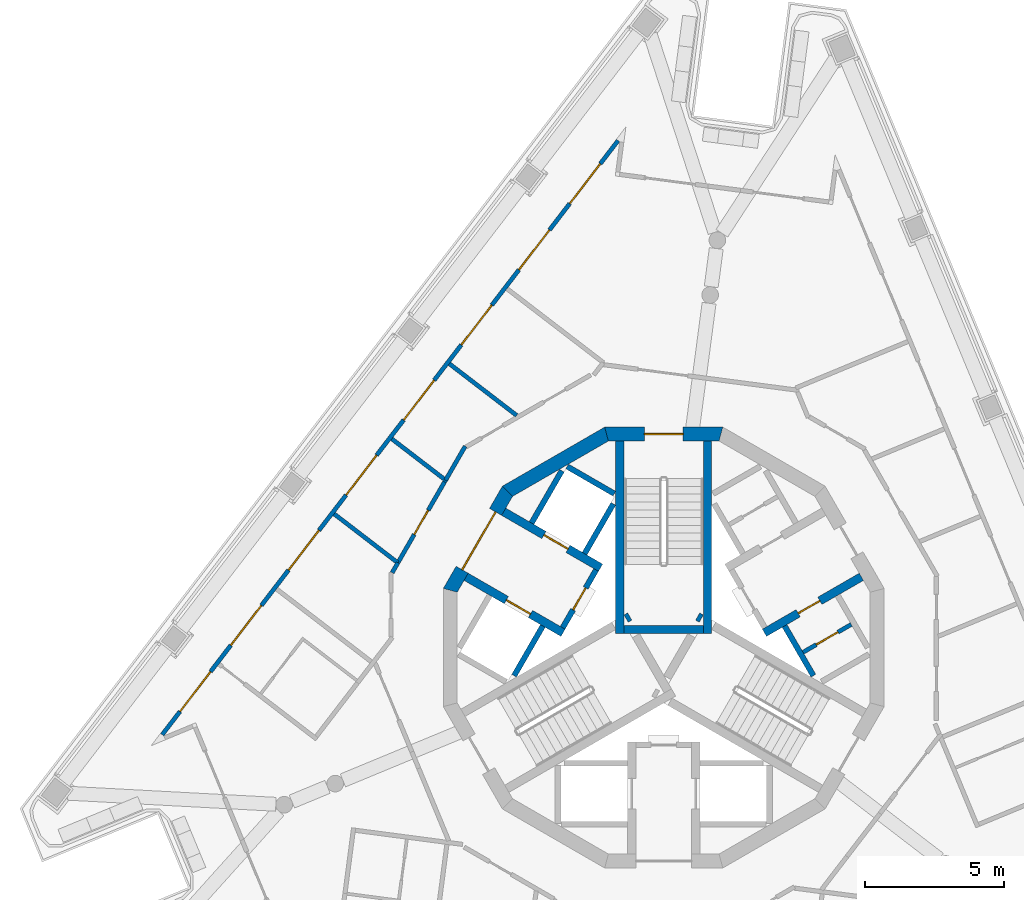
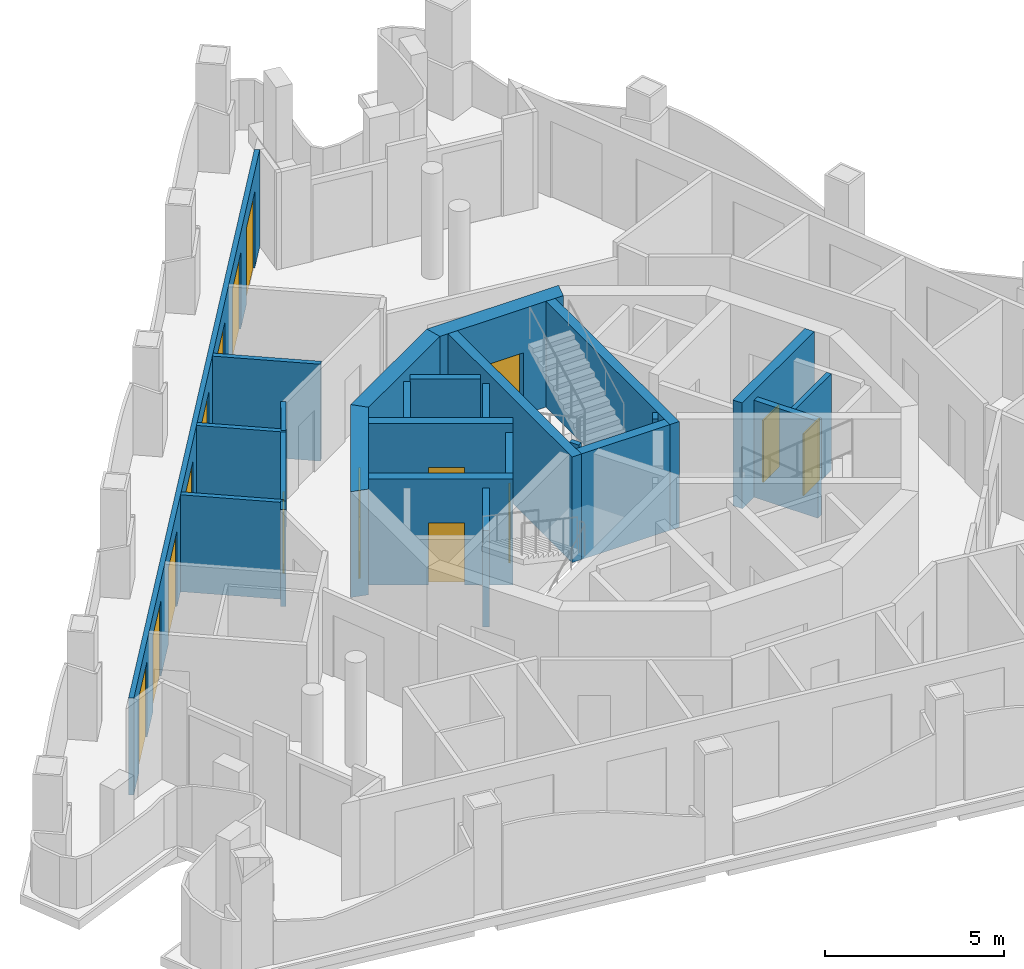
# One storey, part 4 of 12: 25 walls, 16 doors, 16 openings.
"""IFC4 building model written with IfcOpenShell, lengths in metres."""

from ifc_helpers import new_model, si_unit, direction, frame, frame_2d, origin, place, context, subcontext, project, spatial, polyline, rectangle, outline, extrude, material, layer, layer_set, type_object, element, fill, save


model = new_model("IFC4")

# Units and contexts
model_context = context("Model", 3, precision=1e-05, world=origin(), true_north=direction((0.0, 1.0)))
body_context = subcontext(model_context, "Body", "Model", "MODEL_VIEW")
ifc_project = project(units=[si_unit("LENGTHUNIT", "METRE"), si_unit("AREAUNIT", "SQUARE_METRE"), si_unit("VOLUMEUNIT", "CUBIC_METRE"), si_unit("PLANEANGLEUNIT", "RADIAN"), si_unit("MASSUNIT", "GRAM", prefix="KILO")], contexts=[model_context])

# Site, building, storey
site_placement = place(None, origin())
site = spatial("IfcSite", under=ifc_project, at=site_placement, CompositionType="ELEMENT")
building_placement = place(site_placement, origin())
building = spatial("IfcBuilding", under=site, at=building_placement, Name="Trine Commons Tower", CompositionType="ELEMENT")
storey_placement = place(building_placement, frame((0.0, 0.0, 279.0)))
storey = spatial("IfcBuildingStorey", under=building, at=storey_placement, Name="L73", CompositionType="ELEMENT", Elevation=279.0)

# Wall, opening, door
ifc_material_1 = material(Name="Plasterboard partition on steel studs", Category="steel")
ifc_layer_1 = layer(ifc_material_1, 0.14990234375)
ifc_layer_set_1 = layer_set([ifc_layer_1], Name="Plasterboard partition on steel studs")
wall_type_1 = type_object("IfcWallType", Name="Core room partition 150 mm, EI 60", PredefinedType="PARTITIONING", material=ifc_layer_set_1)
wall_1_placement = place(storey_placement, frame((85.006103515625, 62.330078125, 0.0), z_axis=(0.0, 0.0, 1.0), x_axis=(0.866010750942, 0.50002537861, 0.0)))
wall_1 = element("IfcWall", 1, at=wall_1_placement, inside=storey, type_object=wall_type_1, Name="Core room partition L73", PredefinedType="PARTITIONING", context=body_context, shape_type="SweptSolid", body=[
    extrude(rectangle(XDim=2.0, YDim=0.14990234375, at=frame_2d((1.0, 0.0))), origin(), (0.0, 0.0, 1.0), 3.300048828125),
])
opening_1_placement = place(wall_1_placement, frame((0.549560546875, 0.0, 0.0)))
opening_1 = element("IfcOpeningElement", 2, at=opening_1_placement, cuts=wall_1, Name="Opening K19.13", PredefinedType="OPENING", context=body_context, shape_type="SweptSolid", body=[
    extrude(rectangle(XDim=0.89990234375, YDim=2.10009765625, at=frame_2d((0.449951171875, 1.050048828125))), frame((0.0, 0.0849609375, 0.0), z_axis=(0.0, -1.0, 0.0), x_axis=(1.0, 0.0, 0.0)), (0.0, 0.0, 1.0), 0.169921875),
])
ifc_material_2 = material(Name="Steel door leaf, fire-rated", Category="steel")
door_type_1 = type_object("IfcDoorType", Name="Core room door, single leaf 900 x 2100, FD30S", OperationType="SINGLE_SWING_LEFT", PredefinedType="DOOR", material=ifc_material_2)
door_1_placement = place(opening_1_placement, frame((0.89990234375, 0.0, 0.0), z_axis=(0.0, 0.0, 1.0), x_axis=(-1.0, 0.0, 0.0)))
door_1 = element("IfcDoor", 3, at=door_1_placement, inside=storey, type_object=door_type_1, Name="Door to Cleaner's store L73", OperationType="SINGLE_SWING_LEFT", OverallHeight=2.10009765625, OverallWidth=0.89990234375, PredefinedType="DOOR", context=body_context, shape_type="SweptSolid", body=[
    extrude(rectangle(XDim=0.89990234375, YDim=2.10009765625, at=frame_2d((0.449951171875, 1.050048828125))), frame((0.0, 0.02490234375, 0.0), z_axis=(0.0, -1.0, 0.0), x_axis=(1.0, 0.0, 0.0)), (0.0, 0.0, 1.0), 0.050048828125),
])
fill(opening_1, door_1)

# Wall, openings, doors
ifc_material_3 = material(Name="Aluminium-framed insulated wall panel", Category="aluminium")
ifc_layer_2 = layer(ifc_material_3, 0.14990234375)
ifc_layer_set_2 = layer_set([ifc_layer_2], Name="Aluminium-framed insulated wall panel")
wall_type_2 = type_object("IfcWallType", Name="Glazed frame wall 150, EI 60", PredefinedType="SOLIDWALL", material=ifc_layer_set_2)
wall_2_placement = place(storey_placement, frame((61.8876953125, 59.251708984375, 0.0), z_axis=(0.0, 0.0, 1.0), x_axis=(0.608757974151, 0.793355991284, 0.0)))
wall_2 = element("IfcWall", 4, at=wall_2_placement, inside=storey, type_object=wall_type_2, Name="Glazed frame wall F1", PredefinedType="SOLIDWALL", context=body_context, shape_type="SweptSolid", body=[
    extrude(outline(polyline([(0.1494140625, 0.074951171875), (0.1494140625, -0.074951171875), (27.056884765625, -0.074951171875), (27.056884765625, 0.074951171875), (0.1494140625, 0.074951171875)])), origin(), (0.0, 0.0, 1.0), 3.300048828125),
])
opening_2_placement = place(wall_2_placement, frame((1.200439453125, 0.0, 0.0)))
opening_2 = element("IfcOpeningElement", 5, at=opening_2_placement, cuts=wall_2, Name="Opening BD-8F1-01", PredefinedType="OPENING", context=body_context, shape_type="SweptSolid", body=[
    extrude(rectangle(XDim=1.800048828125, YDim=2.60009765625, at=frame_2d((0.89990234375, 1.300048828125))), frame((0.0, 0.0849609375, 0.0), z_axis=(0.0, -1.0, 0.0), x_axis=(1.0, 0.0, 0.0)), (0.0, 0.0, 1.0), 0.169921875),
])
opening_3_placement = place(wall_2_placement, frame((4.201171875, 0.0, 0.0)))
opening_3 = element("IfcOpeningElement", 6, at=opening_3_placement, cuts=wall_2, Name="Opening BD-8F1-02", PredefinedType="OPENING", context=body_context, shape_type="SweptSolid", body=[
    extrude(rectangle(XDim=1.800048828125, YDim=2.60009765625, at=frame_2d((0.89990234375, 1.300048828125))), frame((0.0, 0.0849609375, 0.0), z_axis=(0.0, -1.0, 0.0), x_axis=(1.0, 0.0, 0.0)), (0.0, 0.0, 1.0), 0.169921875),
])
opening_4_placement = place(wall_2_placement, frame((7.60205078125, 0.0, 0.0)))
opening_4 = element("IfcOpeningElement", 7, at=opening_4_placement, cuts=wall_2, Name="Opening BD-8F1-03", PredefinedType="OPENING", context=body_context, shape_type="SweptSolid", body=[
    extrude(rectangle(XDim=1.800048828125, YDim=2.60009765625, at=frame_2d((0.89990234375, 1.300048828125))), frame((0.0, 0.0849609375, 0.0), z_axis=(0.0, -1.0, 0.0), x_axis=(1.0, 0.0, 0.0)), (0.0, 0.0, 1.0), 0.169921875),
])
opening_5_placement = place(wall_2_placement, frame((11.002685546875, 0.0, 0.0)))
opening_5 = element("IfcOpeningElement", 8, at=opening_5_placement, cuts=wall_2, Name="Opening BD-8F1-04", PredefinedType="OPENING", context=body_context, shape_type="SweptSolid", body=[
    extrude(rectangle(XDim=1.800048828125, YDim=2.60009765625, at=frame_2d((0.89990234375, 1.300048828125))), frame((0.0, 0.0849609375, 0.0), z_axis=(0.0, -1.0, 0.0), x_axis=(1.0, 0.0, 0.0)), (0.0, 0.0, 1.0), 0.169921875),
])
opening_6_placement = place(wall_2_placement, frame((14.403564453125, 0.0, 0.0)))
opening_6 = element("IfcOpeningElement", 9, at=opening_6_placement, cuts=wall_2, Name="Opening BD-8F1-05", PredefinedType="OPENING", context=body_context, shape_type="SweptSolid", body=[
    extrude(rectangle(XDim=1.800048828125, YDim=2.60009765625, at=frame_2d((0.89990234375, 1.300048828125))), frame((0.0, 0.0849609375, 0.0), z_axis=(0.0, -1.0, 0.0), x_axis=(1.0, 0.0, 0.0)), (0.0, 0.0, 1.0), 0.169921875),
])
opening_7_placement = place(wall_2_placement, frame((17.804443359375, 0.0, 0.0)))
opening_7 = element("IfcOpeningElement", 10, at=opening_7_placement, cuts=wall_2, Name="Opening BD-8F1-06", PredefinedType="OPENING", context=body_context, shape_type="SweptSolid", body=[
    extrude(rectangle(XDim=1.800048828125, YDim=2.60009765625, at=frame_2d((0.89990234375, 1.300048828125))), frame((0.0, 0.0849609375, 0.0), z_axis=(0.0, -1.0, 0.0), x_axis=(1.0, 0.0, 0.0)), (0.0, 0.0, 1.0), 0.169921875),
])
opening_8_placement = place(wall_2_placement, frame((21.205078125, 0.0, 0.0)))
opening_8 = element("IfcOpeningElement", 11, at=opening_8_placement, cuts=wall_2, Name="Opening BD-8F1-07", PredefinedType="OPENING", context=body_context, shape_type="SweptSolid", body=[
    extrude(rectangle(XDim=1.800048828125, YDim=2.60009765625, at=frame_2d((0.89990234375, 1.300048828125))), frame((0.0, 0.0849609375, 0.0), z_axis=(0.0, -1.0, 0.0), x_axis=(1.0, 0.0, 0.0)), (0.0, 0.0, 1.0), 0.169921875),
])
opening_9_placement = place(wall_2_placement, frame((24.2060546875, 0.0, 0.0)))
opening_9 = element("IfcOpeningElement", 12, at=opening_9_placement, cuts=wall_2, Name="Opening BD-8F1-08", PredefinedType="OPENING", context=body_context, shape_type="SweptSolid", body=[
    extrude(rectangle(XDim=1.800048828125, YDim=2.60009765625, at=frame_2d((0.89990234375, 1.300048828125))), frame((0.0, 0.0849609375, 0.0), z_axis=(0.0, -1.0, 0.0), x_axis=(1.0, 0.0, 0.0)), (0.0, 0.0, 1.0), 0.169921875),
])
ifc_material_4 = material(Name="Anodised aluminium frame with double glazing", Category="aluminium")
door_type_2 = type_object("IfcDoorType", Name="Sliding loggia door 1800x2600", OperationType="SLIDING_TO_LEFT", PredefinedType="DOOR", material=ifc_material_4)
door_2_placement = place(opening_2_placement, origin())
door_2 = element("IfcDoor", 13, at=door_2_placement, inside=storey, type_object=door_type_2, Name="Loggia door F1 1", OperationType="SLIDING_TO_LEFT", OverallHeight=2.60009765625, OverallWidth=1.800048828125, PredefinedType="DOOR", context=body_context, shape_type="SweptSolid", body=[
    extrude(rectangle(XDim=1.800048828125, YDim=2.60009765625, at=frame_2d((0.89990234375, 1.300048828125))), frame((0.0, 0.02490234375, 0.0), z_axis=(0.0, -1.0, 0.0), x_axis=(1.0, 0.0, 0.0)), (0.0, 0.0, 1.0), 0.050048828125),
])
fill(opening_2, door_2)
door_3_placement = place(opening_3_placement, origin())
door_3 = element("IfcDoor", 14, at=door_3_placement, inside=storey, type_object=door_type_2, Name="Loggia door F1 2", OperationType="SLIDING_TO_LEFT", OverallHeight=2.60009765625, OverallWidth=1.800048828125, PredefinedType="DOOR", context=body_context, shape_type="SweptSolid", body=[
    extrude(rectangle(XDim=1.800048828125, YDim=2.60009765625, at=frame_2d((0.89990234375, 1.300048828125))), frame((0.0, 0.02490234375, 0.0), z_axis=(0.0, -1.0, 0.0), x_axis=(1.0, 0.0, 0.0)), (0.0, 0.0, 1.0), 0.050048828125),
])
fill(opening_3, door_3)
door_4_placement = place(opening_4_placement, origin())
door_4 = element("IfcDoor", 15, at=door_4_placement, inside=storey, type_object=door_type_2, Name="Loggia door F1 3", OperationType="SLIDING_TO_LEFT", OverallHeight=2.60009765625, OverallWidth=1.800048828125, PredefinedType="DOOR", context=body_context, shape_type="SweptSolid", body=[
    extrude(rectangle(XDim=1.800048828125, YDim=2.60009765625, at=frame_2d((0.89990234375, 1.300048828125))), frame((0.0, 0.02490234375, 0.0), z_axis=(0.0, -1.0, 0.0), x_axis=(1.0, 0.0, 0.0)), (0.0, 0.0, 1.0), 0.050048828125),
])
fill(opening_4, door_4)
door_5_placement = place(opening_5_placement, origin())
door_5 = element("IfcDoor", 16, at=door_5_placement, inside=storey, type_object=door_type_2, Name="Loggia door F1 4", OperationType="SLIDING_TO_LEFT", OverallHeight=2.60009765625, OverallWidth=1.800048828125, PredefinedType="DOOR", context=body_context, shape_type="SweptSolid", body=[
    extrude(rectangle(XDim=1.800048828125, YDim=2.60009765625, at=frame_2d((0.89990234375, 1.300048828125))), frame((0.0, 0.02490234375, 0.0), z_axis=(0.0, -1.0, 0.0), x_axis=(1.0, 0.0, 0.0)), (0.0, 0.0, 1.0), 0.050048828125),
])
fill(opening_5, door_5)
door_6_placement = place(opening_6_placement, origin())
door_6 = element("IfcDoor", 17, at=door_6_placement, inside=storey, type_object=door_type_2, Name="Loggia door F1 5", OperationType="SLIDING_TO_LEFT", OverallHeight=2.60009765625, OverallWidth=1.800048828125, PredefinedType="DOOR", context=body_context, shape_type="SweptSolid", body=[
    extrude(rectangle(XDim=1.800048828125, YDim=2.60009765625, at=frame_2d((0.89990234375, 1.300048828125))), frame((0.0, 0.02490234375, 0.0), z_axis=(0.0, -1.0, 0.0), x_axis=(1.0, 0.0, 0.0)), (0.0, 0.0, 1.0), 0.050048828125),
])
fill(opening_6, door_6)
door_7_placement = place(opening_7_placement, origin())
door_7 = element("IfcDoor", 18, at=door_7_placement, inside=storey, type_object=door_type_2, Name="Loggia door F1 6", OperationType="SLIDING_TO_LEFT", OverallHeight=2.60009765625, OverallWidth=1.800048828125, PredefinedType="DOOR", context=body_context, shape_type="SweptSolid", body=[
    extrude(rectangle(XDim=1.800048828125, YDim=2.60009765625, at=frame_2d((0.89990234375, 1.300048828125))), frame((0.0, 0.02490234375, 0.0), z_axis=(0.0, -1.0, 0.0), x_axis=(1.0, 0.0, 0.0)), (0.0, 0.0, 1.0), 0.050048828125),
])
fill(opening_7, door_7)
door_8_placement = place(opening_8_placement, origin())
door_8 = element("IfcDoor", 19, at=door_8_placement, inside=storey, type_object=door_type_2, Name="Loggia door F1 7", OperationType="SLIDING_TO_LEFT", OverallHeight=2.60009765625, OverallWidth=1.800048828125, PredefinedType="DOOR", context=body_context, shape_type="SweptSolid", body=[
    extrude(rectangle(XDim=1.800048828125, YDim=2.60009765625, at=frame_2d((0.89990234375, 1.300048828125))), frame((0.0, 0.02490234375, 0.0), z_axis=(0.0, -1.0, 0.0), x_axis=(1.0, 0.0, 0.0)), (0.0, 0.0, 1.0), 0.050048828125),
])
fill(opening_8, door_8)
door_9_placement = place(opening_9_placement, origin())
door_9 = element("IfcDoor", 20, at=door_9_placement, inside=storey, type_object=door_type_2, Name="Loggia door F1 8", OperationType="SLIDING_TO_LEFT", OverallHeight=2.60009765625, OverallWidth=1.800048828125, PredefinedType="DOOR", context=body_context, shape_type="SweptSolid", body=[
    extrude(rectangle(XDim=1.800048828125, YDim=2.60009765625, at=frame_2d((0.89990234375, 1.300048828125))), frame((0.0, 0.02490234375, 0.0), z_axis=(0.0, -1.0, 0.0), x_axis=(1.0, 0.0, 0.0)), (0.0, 0.0, 1.0), 0.050048828125),
])
fill(opening_9, door_9)

# Wall, opening, door
ifc_material_5 = material(Name="Fire-rated gypsum shaft wall system")
ifc_layer_3 = layer(ifc_material_5, 0.199951171875)
ifc_layer_set_3 = layer_set([ifc_layer_3], Name="Fire-rated gypsum shaft wall system")
wall_type_3 = type_object("IfcWallType", Name="Lobby end wall 200 mm, EI 120", PredefinedType="PARTITIONING", material=ifc_layer_set_3)
wall_3_placement = place(storey_placement, frame((77.569091796875, 65.2890625, 0.0), z_axis=(0.0, 0.0, 1.0), x_axis=(-0.50012165622, -0.865955154139, 0.0)))
wall_3 = element("IfcWall", 21, at=wall_3_placement, inside=storey, type_object=wall_type_3, Name="Lobby end wall L73", PredefinedType="PARTITIONING", context=body_context, shape_type="SweptSolid", body=[
    extrude(rectangle(XDim=2.39990234375, YDim=0.199951171875, at=frame_2d((1.199951171875, 0.0))), origin(), (0.0, 0.0, 1.0), 3.300048828125),
])
opening_10_placement = place(wall_3_placement, frame((0.749755859375, 0.0, 0.0)))
opening_10 = element("IfcOpeningElement", 22, at=opening_10_placement, cuts=wall_3, Name="Opening K19.07", PredefinedType="OPENING", context=body_context, shape_type="SweptSolid", body=[
    extrude(rectangle(XDim=0.89990234375, YDim=2.10009765625, at=frame_2d((0.449951171875, 1.050048828125))), frame((0.0, 0.10986328125, 0.0), z_axis=(0.0, -1.0, 0.0), x_axis=(1.0, 0.0, 0.0)), (0.0, 0.0, 1.0), 0.219970703125),
])
door_type_3 = type_object("IfcDoorType", Name="Riser access door, single leaf 900 x 2100, FD60", OperationType="SINGLE_SWING_LEFT", PredefinedType="DOOR", material=ifc_material_2)
door_10_placement = place(opening_10_placement, frame((0.89990234375, 0.0, 0.0), z_axis=(0.0, 0.0, 1.0), x_axis=(-1.0, 0.0, 0.0)))
door_10 = element("IfcDoor", 23, at=door_10_placement, inside=storey, type_object=door_type_3, Name="Riser door, Mechanical riser L73", OperationType="SINGLE_SWING_RIGHT", OverallHeight=2.10009765625, OverallWidth=0.89990234375, PredefinedType="DOOR", context=body_context, shape_type="SweptSolid", body=[
    extrude(rectangle(XDim=0.89990234375, YDim=2.10009765625, at=frame_2d((0.449951171875, 1.050048828125))), frame((0.0, 0.02490234375, 0.0), z_axis=(0.0, -1.0, 0.0), x_axis=(1.0, 0.0, 0.0)), (0.0, 0.0, 1.0), 0.050048828125),
])
fill(opening_10, door_10)

ifc_material_6 = material(Name="Concrete C50/60", Category="concrete")
ifc_layer_4 = layer(ifc_material_6, 0.300048828125)
ifc_layer_set_4 = layer_set([ifc_layer_4], Name="Concrete C50/60")
wall_type_4 = type_object("IfcWallType", Name="RC shear wall 300 mm, C50/60", PredefinedType="SHEAR", material=ifc_layer_set_4)
wall_4_placement = place(storey_placement, frame((76.381103515625, 63.031005859375, 0.0), z_axis=(0.0, 0.0, 1.0), x_axis=(-0.866071331441, 0.499920442526, 0.0)))
wall_4 = element("IfcWall", 24, at=wall_4_placement, inside=storey, type_object=wall_type_4, Name="Core cross wall SWD-01 L73", PredefinedType="SHEAR", context=body_context, shape_type="SweptSolid", body=[
    extrude(rectangle(XDim=4.020751953125, YDim=0.300048828125, at=frame_2d((2.01025390625, 0.0))), origin(), (0.0, 0.0, 1.0), 3.60009765625),
])
opening_11_placement = place(wall_4_placement, frame((1.350341796875, 0.0, 0.0)))
opening_11 = element("IfcOpeningElement", 25, at=opening_11_placement, cuts=wall_4, Name="Opening LD7", PredefinedType="OPENING", context=body_context, shape_type="SweptSolid", body=[
    extrude(rectangle(XDim=1.0, YDim=2.10009765625, at=frame_2d((0.5, 1.050048828125))), frame((0.0, 0.159912109375, 0.0), z_axis=(0.0, -1.0, 0.0), x_axis=(1.0, 0.0, 0.0)), (0.0, 0.0, 1.0), 0.320068359375),
])
ifc_material_7 = material(Name="Stainless steel sliding door leaves", Category="steel")
door_type_4 = type_object("IfcDoorType", Name="Lift landing door, centre-opening sliding 1000 x 2100, FD90", OperationType="DOUBLE_DOOR_SLIDING", PredefinedType="DOOR", material=ifc_material_7)
door_11_placement = place(opening_11_placement, origin())
door_11 = element("IfcDoor", 26, at=door_11_placement, inside=storey, type_object=door_type_4, Name="Lift landing door HR3 L73", OperationType="DOUBLE_DOOR_SLIDING", OverallHeight=2.10009765625, OverallWidth=1.0, PredefinedType="DOOR", context=body_context, shape_type="SweptSolid", body=[
    extrude(rectangle(XDim=1.0, YDim=2.10009765625, at=frame_2d((0.5, 1.050048828125))), frame((0.0, 0.02490234375, 0.0), z_axis=(0.0, -1.0, 0.0), x_axis=(1.0, 0.0, 0.0)), (0.0, 0.0, 1.0), 0.050048828125),
])
fill(opening_11, door_11)

wall_5_placement = place(storey_placement, frame((77.73095703125, 65.368896484375, 0.0), z_axis=(0.0, 0.0, 1.0), x_axis=(-0.866056154689, 0.499946734088, 0.0)))
wall_5 = element("IfcWall", 27, at=wall_5_placement, inside=storey, type_object=wall_type_4, Name="Core cross wall SWD-02 L73", PredefinedType="SHEAR", context=body_context, shape_type="SweptSolid", body=[
    extrude(rectangle(XDim=4.0205078125, YDim=0.300048828125, at=frame_2d((2.01025390625, 0.0))), origin(), (0.0, 0.0, 1.0), 3.60009765625),
])
opening_12_placement = place(wall_5_placement, frame((1.350341796875, 0.0, 0.0)))
opening_12 = element("IfcOpeningElement", 28, at=opening_12_placement, cuts=wall_5, Name="Opening LD8", PredefinedType="OPENING", context=body_context, shape_type="SweptSolid", body=[
    extrude(rectangle(XDim=1.0, YDim=2.10009765625, at=frame_2d((0.5, 1.050048828125))), frame((0.0, 0.159912109375, 0.0), z_axis=(0.0, -1.0, 0.0), x_axis=(1.0, 0.0, 0.0)), (0.0, 0.0, 1.0), 0.320068359375),
])
door_12_placement = place(opening_12_placement, origin())
door_12 = element("IfcDoor", 29, at=door_12_placement, inside=storey, type_object=door_type_4, Name="Lift landing door HR4 L73", OperationType="DOUBLE_DOOR_SLIDING", OverallHeight=2.10009765625, OverallWidth=1.0, PredefinedType="DOOR", context=body_context, shape_type="SweptSolid", body=[
    extrude(rectangle(XDim=1.0, YDim=2.10009765625, at=frame_2d((0.5, 1.050048828125))), frame((0.0, 0.02490234375, 0.0), z_axis=(0.0, -1.0, 0.0), x_axis=(1.0, 0.0, 0.0)), (0.0, 0.0, 1.0), 0.050048828125),
])
fill(opening_12, door_12)

wall_6_placement = place(storey_placement, frame((83.618896484375, 63.031005859375, 0.0), z_axis=(0.0, 0.0, 1.0), x_axis=(0.866071331441, 0.499920442526, 0.0)))
wall_6 = element("IfcWall", 30, at=wall_6_placement, inside=storey, type_object=wall_type_4, Name="Core cross wall SWD-06 L73", PredefinedType="SHEAR", context=body_context, shape_type="SweptSolid", body=[
    extrude(rectangle(XDim=4.020751953125, YDim=0.300048828125, at=frame_2d((2.01025390625, 0.0))), origin(), (0.0, 0.0, 1.0), 3.60009765625),
])
opening_13_placement = place(wall_6_placement, frame((1.400390625, 0.0, 0.0)))
opening_13 = element("IfcOpeningElement", 31, at=opening_13_placement, cuts=wall_6, Name="Opening K19.12", PredefinedType="OPENING", context=body_context, shape_type="SweptSolid", body=[
    extrude(rectangle(XDim=0.89990234375, YDim=2.10009765625, at=frame_2d((0.449951171875, 1.050048828125))), frame((0.0, 0.159912109375, 0.0), z_axis=(0.0, -1.0, 0.0), x_axis=(1.0, 0.0, 0.0)), (0.0, 0.0, 1.0), 0.320068359375),
])
door_13_placement = place(opening_13_placement, frame((0.89990234375, 0.0, 0.0), z_axis=(0.0, 0.0, 1.0), x_axis=(-1.0, 0.0, 0.0)))
door_13 = element("IfcDoor", 32, at=door_13_placement, inside=storey, type_object=door_type_1, Name="Door to Parcel store L73", OperationType="SINGLE_SWING_LEFT", OverallHeight=2.10009765625, OverallWidth=0.89990234375, PredefinedType="DOOR", context=body_context, shape_type="SweptSolid", body=[
    extrude(rectangle(XDim=0.89990234375, YDim=2.10009765625, at=frame_2d((0.449951171875, 1.050048828125))), frame((0.0, 0.02490234375, 0.0), z_axis=(0.0, -1.0, 0.0), x_axis=(1.0, 0.0, 0.0)), (0.0, 0.0, 1.0), 0.050048828125),
])
fill(opening_13, door_13)

# Walls
wall_7_placement = place(storey_placement, frame((78.425048828125, 63.0009765625, 0.0), z_axis=(0.0, 0.0, 1.0), x_axis=(0.0, 1.0, 0.0)))
element("IfcWall", 33, at=wall_7_placement, inside=storey, type_object=wall_type_4, Name="Core cross wall SWD-08 L73", PredefinedType="SHEAR", context=body_context, shape_type="SweptSolid", body=[
    extrude(rectangle(XDim=6.919921875, YDim=0.300048828125, at=frame_2d((3.4599609375, 0.0))), origin(), (0.0, 0.0, 1.0), 3.60009765625),
])
for number, where, z_axis, x_axis, name in (
    (34, (78.779052734375, 63.614013671875, 0.0), (0.0, 0.0, 1.0), (-0.867737973955, -0.497021939713, 0.0), "Core cross wall SWD-09 L73"),
    (35, (81.220947265625, 63.614013671875, 0.0), (0.0, 0.0, 1.0), (0.867737973955, -0.497021939713, 0.0), "Core cross wall SWD-15 L73"),
):
    element("IfcWall", number, at=place(storey_placement, frame(where, z_axis=z_axis, x_axis=x_axis)), inside=storey, type_object=wall_type_4, Name=name, PredefinedType="SHEAR", context=body_context, shape_type="SweptSolid", body=[
        extrude(rectangle(XDim=0.14892578125, YDim=0.300048828125, at=frame_2d((0.074462890625, 0.0))), origin(), (0.0, 0.0, 1.0), 3.60009765625),
    ])
wall_8_placement = place(storey_placement, frame((81.425048828125, 63.15087890625, 0.0), z_axis=(0.0, 0.0, 1.0), x_axis=(-1.0, 0.0, 0.0)))
element("IfcWall", 36, at=wall_8_placement, inside=storey, type_object=wall_type_4, Name="Core cross wall SWD-16 L73", PredefinedType="SHEAR", context=body_context, shape_type="SweptSolid", body=[
    extrude(rectangle(XDim=2.85009765625, YDim=0.300048828125, at=frame_2d((1.425048828125, 0.0))), origin(), (0.0, 0.0, 1.0), 3.60009765625),
])
wall_9_placement = place(storey_placement, frame((81.574951171875, 63.0009765625, 0.0), z_axis=(0.0, 0.0, 1.0), x_axis=(0.0, 1.0, 0.0)))
element("IfcWall", 37, at=wall_9_placement, inside=storey, type_object=wall_type_4, Name="Core cross wall SWD-17 L73", PredefinedType="SHEAR", context=body_context, shape_type="SweptSolid", body=[
    extrude(rectangle(XDim=6.919921875, YDim=0.300048828125, at=frame_2d((3.4599609375, 0.0))), origin(), (0.0, 0.0, 1.0), 3.60009765625),
])

# Wall, opening, door
ifc_layer_5 = layer(ifc_material_6, 0.5)
ifc_layer_set_5 = layer_set([ifc_layer_5], Name="Concrete C50/60")
wall_type_5 = type_object("IfcWallType", Name="RC shear wall 500 mm, C50/60", PredefinedType="SHEAR", material=ifc_layer_set_5)
wall_10_placement = place(storey_placement, frame((82.122314453125, 70.170654296875, 0.0), z_axis=(0.0, 0.0, 1.0), x_axis=(-1.0, 0.0, 0.0)))
wall_10 = element("IfcWall", 38, at=wall_10_placement, inside=storey, type_object=wall_type_5, Name="Core wall CWH-04 L73", PredefinedType="SHEAR", context=body_context, shape_type="SweptSolid", body=[
    extrude(outline(polyline([(0.0, -0.25), (4.24462890625, -0.25), (4.110595703125, 0.25), (0.134033203125, 0.25), (0.0, -0.25)])), origin(), (0.0, 0.0, 1.0), 3.60009765625),
])
opening_14_placement = place(wall_10_placement, frame((1.42236328125, 0.0, 0.0)))
opening_14 = element("IfcOpeningElement", 39, at=opening_14_placement, cuts=wall_10, Name="Opening K19.01", PredefinedType="OPENING", context=body_context, shape_type="SweptSolid", body=[
    extrude(rectangle(XDim=1.39990234375, YDim=2.10009765625, at=frame_2d((0.699951171875, 1.050048828125))), frame((0.0, 0.260009765625, 0.0), z_axis=(0.0, -1.0, 0.0), x_axis=(1.0, 0.0, 0.0)), (0.0, 0.0, 1.0), 0.52001953125),
])
ifc_material_8 = material(Name="Steel door leaves, fire-rated", Category="steel")
door_type_5 = type_object("IfcDoorType", Name="Stair door, double leaf 1400 x 2100, FD90", OperationType="DOUBLE_DOOR_SINGLE_SWING", PredefinedType="DOOR", material=ifc_material_8)
door_14_placement = place(opening_14_placement, origin())
door_14 = element("IfcDoor", 40, at=door_14_placement, inside=storey, type_object=door_type_5, Name="Stair door to Exit stair ST1D L73", OperationType="DOUBLE_DOOR_SINGLE_SWING", OverallHeight=2.10009765625, OverallWidth=1.39990234375, PredefinedType="DOOR", context=body_context, shape_type="SweptSolid", body=[
    extrude(rectangle(XDim=1.39990234375, YDim=2.10009765625, at=frame_2d((0.699951171875, 1.050048828125))), frame((0.0, 0.02490234375, 0.0), z_axis=(0.0, -1.0, 0.0), x_axis=(1.0, 0.0, 0.0)), (0.0, 0.0, 1.0), 0.050048828125),
])
fill(opening_14, door_14)

# Wall
wall_11_placement = place(storey_placement, frame((78.002685546875, 70.2041015625, 0.0), z_axis=(0.0, 0.0, 1.0), x_axis=(-0.866029463428, -0.499992968425, 0.0)))
element("IfcWall", 41, at=wall_11_placement, inside=storey, type_object=wall_type_5, Name="Core wall CWH-05 L73", PredefinedType="SHEAR", context=body_context, shape_type="SweptSolid", body=[
    extrude(outline(polyline([(0.0, -0.25), (4.24462890625, -0.25), (4.110595703125, 0.25), (0.134033203125, 0.25), (0.0, -0.25)])), origin(), (0.0, 0.0, 1.0), 3.60009765625),
])

# Wall, opening, door
wall_12_placement = place(storey_placement, frame((74.418212890625, 68.17333984375, 0.0), z_axis=(0.0, 0.0, 1.0), x_axis=(-0.499992968425, -0.866029463428, 0.0)))
wall_12 = element("IfcWall", 42, at=wall_12_placement, inside=storey, type_object=wall_type_5, Name="Core wall CWH-06 L73", PredefinedType="SHEAR", context=body_context, shape_type="SweptSolid", body=[
    extrude(outline(polyline([(0.0, -0.25), (4.24462890625, -0.25), (4.110595703125, 0.25), (0.134033203125, 0.25), (0.0, -0.25)])), origin(), (0.0, 0.0, 1.0), 3.60009765625),
])
opening_15_placement = place(wall_12_placement, frame((0.92236328125, 0.0, 0.0)))
opening_15 = element("IfcOpeningElement", 43, at=opening_15_placement, cuts=wall_12, Name="Opening K19.06", PredefinedType="OPENING", context=body_context, shape_type="SweptSolid", body=[
    extrude(rectangle(XDim=2.39990234375, YDim=2.10009765625, at=frame_2d((1.199951171875, 1.050048828125))), frame((0.0, 0.260009765625, 0.0), z_axis=(0.0, -1.0, 0.0), x_axis=(1.0, 0.0, 0.0)), (0.0, 0.0, 1.0), 0.52001953125),
])
door_type_6 = type_object("IfcDoorType", Name="Lobby door, double leaf 2400 x 2100, FD60", OperationType="DOUBLE_DOOR_SINGLE_SWING", PredefinedType="DOOR", material=ifc_material_8)
door_15_placement = place(opening_15_placement, origin())
door_15 = element("IfcDoor", 44, at=door_15_placement, inside=storey, type_object=door_type_6, Name="Lobby door, Passenger lift lobby B L73", OperationType="DOUBLE_DOOR_SINGLE_SWING", OverallHeight=2.10009765625, OverallWidth=2.39990234375, PredefinedType="DOOR", context=body_context, shape_type="SweptSolid", body=[
    extrude(rectangle(XDim=2.39990234375, YDim=2.10009765625, at=frame_2d((1.199951171875, 1.050048828125))), frame((0.0, 0.02490234375, 0.0), z_axis=(0.0, -1.0, 0.0), x_axis=(1.0, 0.0, 0.0)), (0.0, 0.0, 1.0), 0.050048828125),
])
fill(opening_15, door_15)

# Walls
ifc_layer_6 = layer(ifc_material_5, 0.199951171875)
ifc_layer_set_6 = layer_set([ifc_layer_6], Name="Fire-rated gypsum shaft wall system")
wall_type_6 = type_object("IfcWallType", Name="Shaft wall 200 mm, EI 120", PredefinedType="PARTITIONING", material=ifc_layer_set_6)
wall_13_placement = place(storey_placement, frame((75.2509765625, 66.97412109375, 0.0), z_axis=(0.0, 0.0, 1.0), x_axis=(0.500060114735, 0.865990693744, 0.0)))
element("IfcWall", 45, at=wall_13_placement, inside=storey, type_object=wall_type_6, Name="Shaft wall L73", PredefinedType="PARTITIONING", context=body_context, shape_type="SweptSolid", body=[
    extrude(rectangle(XDim=2.169677734375, YDim=0.199951171875, at=frame_2d((1.0849609375, 0.0))), origin(), (0.0, 0.0, 1.0), 3.300048828125),
])
wall_14_placement = place(storey_placement, frame((75.656005859375, 63.27587890625, 0.0), z_axis=(0.0, 0.0, 1.0), x_axis=(-0.500271688072, -0.86586848777, 0.0)))
element("IfcWall", 46, at=wall_14_placement, inside=storey, type_object=wall_type_6, Name="Shaft wall L73", PredefinedType="PARTITIONING", context=body_context, shape_type="SweptSolid", body=[
    extrude(rectangle(XDim=2.064697265625, YDim=0.199951171875, at=frame_2d((1.0322265625, 0.0))), origin(), (0.0, 0.0, 1.0), 3.300048828125),
])
wall_15_placement = place(storey_placement, frame((77.156005859375, 65.8740234375, 0.0), z_axis=(0.0, 0.0, 1.0), x_axis=(0.499865770674, 0.866102887253, 0.0)))
element("IfcWall", 47, at=wall_15_placement, inside=storey, type_object=wall_type_6, Name="Shaft wall L73", PredefinedType="PARTITIONING", context=body_context, shape_type="SweptSolid", body=[
    extrude(rectangle(XDim=2.064453125, YDim=0.199951171875, at=frame_2d((1.0322265625, 0.0))), origin(), (0.0, 0.0, 1.0), 3.300048828125),
])
wall_16_placement = place(storey_placement, frame((78.22509765625, 68.028076171875, 0.0), z_axis=(0.0, 0.0, 1.0), x_axis=(-0.866071410914, 0.499920304846, 0.0)))
element("IfcWall", 48, at=wall_16_placement, inside=storey, type_object=wall_type_6, Name="Shaft wall L73", PredefinedType="PARTITIONING", context=body_context, shape_type="SweptSolid", body=[
    extrude(rectangle(XDim=1.958251953125, YDim=0.199951171875, at=frame_2d((0.97900390625, 0.0))), origin(), (0.0, 0.0, 1.0), 3.300048828125),
])
wall_17_placement = place(storey_placement, frame((84.343994140625, 63.27587890625, 0.0), z_axis=(0.0, 0.0, 1.0), x_axis=(0.500271688072, -0.86586848777, 0.0)))
element("IfcWall", 49, at=wall_17_placement, inside=storey, type_object=wall_type_6, Name="Shaft wall L73", PredefinedType="PARTITIONING", context=body_context, shape_type="SweptSolid", body=[
    extrude(rectangle(XDim=2.064697265625, YDim=0.199951171875, at=frame_2d((1.0322265625, 0.0))), origin(), (0.0, 0.0, 1.0), 3.300048828125),
])
ifc_material_9 = material(Name="Gypsum plasterboard on steel stud", Category="steel")
ifc_layer_7 = layer(ifc_material_9, 0.14990234375)
ifc_layer_set_7 = layer_set([ifc_layer_7], Name="Gypsum plasterboard on steel stud")
wall_type_7 = type_object("IfcWallType", Name="Unit and corridor wall 150 mm, EI 60", PredefinedType="PARTITIONING", material=ifc_layer_set_7)
wall_18_placement = place(storey_placement, frame((68.15771484375, 67.300537109375, 0.0), z_axis=(0.0, 0.0, 1.0), x_axis=(0.793362540986, -0.608749438242, 0.0)))
element("IfcWall", 50, at=wall_18_placement, inside=storey, type_object=wall_type_7, Name="Partition 006", PredefinedType="PARTITIONING", context=body_context, shape_type="SweptSolid", body=[
    extrude(rectangle(XDim=2.885498046875, YDim=0.14990234375, at=frame_2d((1.44287109375, 0.0))), origin(), (0.0, 0.0, 1.0), 3.300048828125),
])
wall_19_placement = place(storey_placement, frame((70.228759765625, 69.99853515625, 0.0), z_axis=(0.0, 0.0, 1.0), x_axis=(0.793302775826, -0.608827320237, 0.0)))
element("IfcWall", 51, at=wall_19_placement, inside=storey, type_object=wall_type_7, Name="Partition 013", PredefinedType="PARTITIONING", context=body_context, shape_type="SweptSolid", body=[
    extrude(rectangle(XDim=2.511962890625, YDim=0.14990234375, at=frame_2d((1.255859375, 0.0))), origin(), (0.0, 0.0, 1.0), 3.300048828125),
])
wall_20_placement = place(storey_placement, frame((70.241455078125, 65.18994140625, 0.0), z_axis=(0.0, 0.0, 1.0), x_axis=(0.499569084189, 0.866274050242, 0.0)))
element("IfcWall", 52, at=wall_20_placement, inside=storey, type_object=wall_type_7, Name="Partition 015", PredefinedType="PARTITIONING", context=body_context, shape_type="SweptSolid", body=[
    extrude(rectangle(XDim=0.413330078125, YDim=0.14990234375, at=frame_2d((0.20654296875, 0.0))), origin(), (0.0, 0.0, 1.0), 3.300048828125),
])

# Wall, opening, door
wall_21_placement = place(storey_placement, frame((70.444091796875, 65.541015625, 0.0), z_axis=(0.0, 0.0, 1.0), x_axis=(0.50001992892, 0.866013897511, 0.0)))
wall_21 = element("IfcWall", 53, at=wall_21_placement, inside=storey, type_object=wall_type_7, Name="Partition 016", PredefinedType="PARTITIONING", context=body_context, shape_type="SweptSolid", body=[
    extrude(rectangle(XDim=3.362548828125, YDim=0.14990234375, at=frame_2d((1.68115234375, 0.0))), origin(), (0.0, 0.0, 1.0), 3.300048828125),
])
opening_16_placement = place(wall_21_placement, frame((1.183349609375, 0.0, 0.0)))
opening_16 = element("IfcOpeningElement", 54, at=opening_16_placement, cuts=wall_21, Name="Opening D-8A06", PredefinedType="OPENING", context=body_context, shape_type="SweptSolid", body=[
    extrude(rectangle(XDim=1.0, YDim=2.10009765625, at=frame_2d((0.5, 1.050048828125))), frame((0.0, 0.0849609375, 0.0), z_axis=(0.0, -1.0, 0.0), x_axis=(1.0, 0.0, 0.0)), (0.0, 0.0, 1.0), 0.169921875),
])
ifc_material_10 = material(Name="Painted timber", Category="wood")
door_type_7 = type_object("IfcDoorType", Name="Toilet door 1000 x 2100, NOT RATED", OperationType="NOTDEFINED", PredefinedType="DOOR", material=ifc_material_10)
door_16_placement = place(opening_16_placement, origin())
door_16 = element("IfcDoor", 55, at=door_16_placement, inside=storey, type_object=door_type_7, Name="Door D-8A06", OperationType="SINGLE_SWING_RIGHT", OverallHeight=2.10009765625, OverallWidth=1.0, PredefinedType="DOOR", context=body_context, shape_type="SweptSolid", body=[
    extrude(rectangle(XDim=1.0, YDim=2.10009765625, at=frame_2d((0.5, 1.050048828125))), frame((0.0, 0.02490234375, 0.0), z_axis=(0.0, -1.0, 0.0), x_axis=(1.0, 0.0, 0.0)), (0.0, 0.0, 1.0), 0.050048828125),
])
fill(opening_16, door_16)

# Walls
wall_22_placement = place(storey_placement, frame((72.159912109375, 68.511962890625, 0.0), z_axis=(0.0, 0.0, 1.0), x_axis=(0.499891918698, 0.866087795561, 0.0)))
element("IfcWall", 56, at=wall_22_placement, inside=storey, type_object=wall_type_7, Name="Partition 021", PredefinedType="PARTITIONING", context=body_context, shape_type="SweptSolid", body=[
    extrude(rectangle(XDim=1.413330078125, YDim=0.14990234375, at=frame_2d((0.70654296875, 0.0))), origin(), (0.0, 0.0, 1.0), 3.300048828125),
])
wall_23_placement = place(storey_placement, frame((72.298583984375, 72.696533203125, 0.0), z_axis=(0.0, 0.0, 1.0), x_axis=(0.793299429492, -0.60883168049, 0.0)))
element("IfcWall", 57, at=wall_23_placement, inside=storey, type_object=wall_type_7, Name="Partition 022", PredefinedType="PARTITIONING", context=body_context, shape_type="SweptSolid", body=[
    extrude(rectangle(XDim=3.048095703125, YDim=0.14990234375, at=frame_2d((1.52392578125, 0.0))), origin(), (0.0, 0.0, 1.0), 3.300048828125),
])

save(model, "model.ifc")
